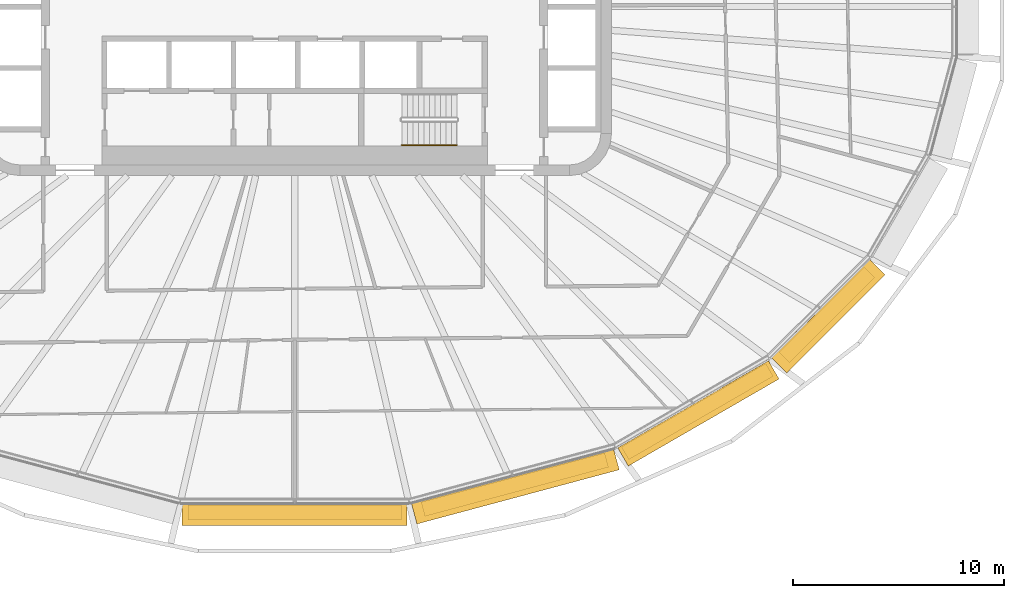
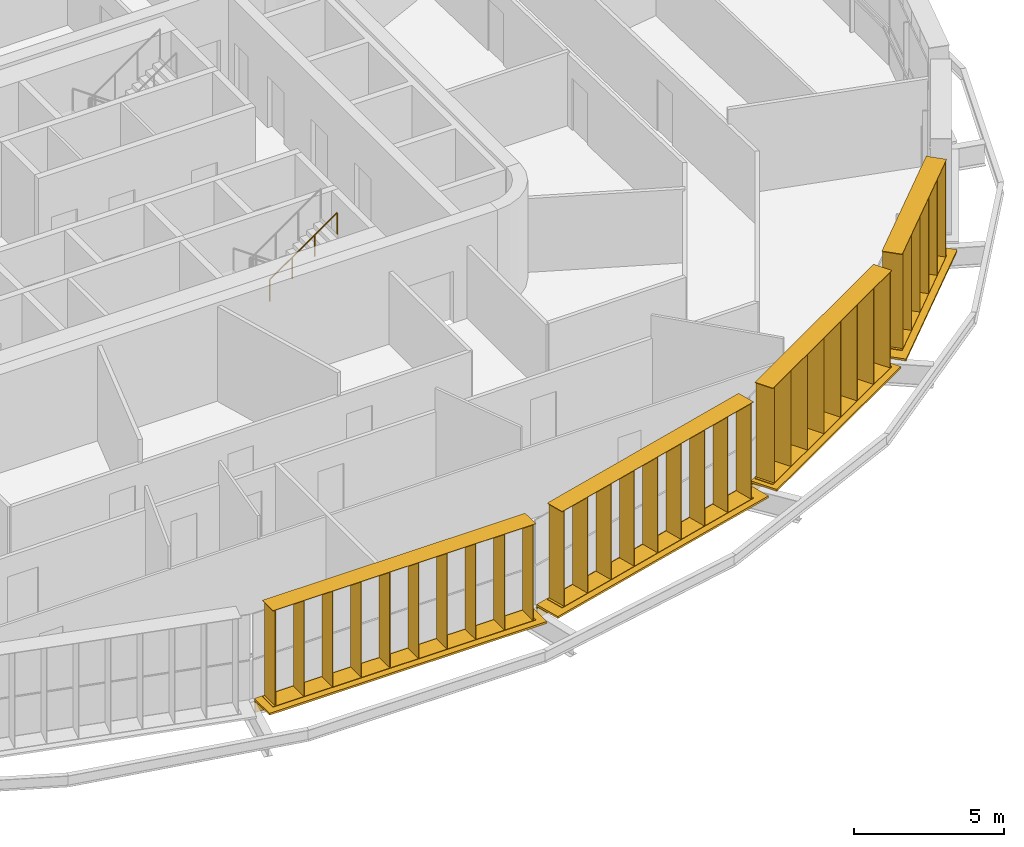
# One storey, part 20 of 23: 8 shading devices, 1 railing.
"""IFC4 building model written with IfcOpenShell, lengths in metres."""

from ifc_helpers import new_model, si_unit, direction, frame, origin, origin_2d, place, context, subcontext, project, spatial, rectangle, circle, extrude, material, type_object, element, save


model = new_model("IFC4")

# Units and contexts
model_context = context("Model", 3, precision=1e-05, world=origin(), true_north=direction((0.0, 1.0)))
body_context = subcontext(model_context, "Body", "Model", "MODEL_VIEW")
ifc_project = project(units=[si_unit("LENGTHUNIT", "METRE"), si_unit("AREAUNIT", "SQUARE_METRE"), si_unit("VOLUMEUNIT", "CUBIC_METRE"), si_unit("PLANEANGLEUNIT", "RADIAN"), si_unit("MASSUNIT", "GRAM", prefix="KILO")], contexts=[model_context])

# Site, building, storey
site_placement = place(None, origin())
site = spatial("IfcSite", under=ifc_project, at=site_placement, CompositionType="ELEMENT")
building_placement = place(site_placement, origin())
building = spatial("IfcBuilding", under=site, at=building_placement, Name="Sahrelin Media Tower", CompositionType="ELEMENT")
storey_placement = place(building_placement, frame((0.0, 0.0, 157.60009765625)))
storey = spatial("IfcBuildingStorey", under=building, at=storey_placement, Name="L32", CompositionType="ELEMENT", Elevation=157.60009765625)

# Shading devices
ifc_material_1 = material(Name="Champagne anodised aluminium 6063-T6", Category="aluminium")
shading_device_type_1 = type_object("IfcShadingDeviceType", Name="Fin cassette", PredefinedType="USERDEFINED", material=ifc_material_1)
placement_1 = place(storey_placement, frame((0.0, -23.532470703125, 0.0), z_axis=(0.0, 0.0, 1.0), x_axis=(-1.0, 0.0, 0.0)))
element("IfcShadingDevice", 1, at=placement_1, inside=storey, type_object=shading_device_type_1, Name="L32:FIN:L32-18", ObjectType="FIN", PredefinedType="USERDEFINED", context=body_context, shape_type="SweptSolid", body=[
    extrude(rectangle(XDim=10.10009765625, YDim=0.699951171875, at=origin_2d()), frame((0.0, 0.419921875, 0.0)), (0.0, 0.0, 1.0), 0.02001953125),
    extrude(rectangle(XDim=10.10009765625, YDim=0.699951171875, at=origin_2d()), frame((0.0, 0.419921875, 3.89990234375)), (0.0, 0.0, 1.0), 0.02001953125),
    extrude(rectangle(XDim=0.02001953125, YDim=0.699951171875, at=origin_2d()), frame((-4.949951171875, 0.419921875, 0.010009765625), z_axis=(0.0, 0.0, 1.0), x_axis=(1.0, 0.0, 0.0)), (0.0, 0.0, 1.0), 3.89990234375),
    extrude(rectangle(XDim=0.02001953125, YDim=0.699951171875, at=origin_2d()), frame((-3.85009765625, 0.419921875, 0.010009765625), z_axis=(0.0, 0.0, 1.0), x_axis=(1.0, 0.0, 0.0)), (0.0, 0.0, 1.0), 3.89990234375),
    extrude(rectangle(XDim=0.02001953125, YDim=0.699951171875, at=origin_2d()), frame((-2.75, 0.419921875, 0.010009765625), z_axis=(0.0, 0.0, 1.0), x_axis=(1.0, 0.0, 0.0)), (0.0, 0.0, 1.0), 3.89990234375),
    extrude(rectangle(XDim=0.02001953125, YDim=0.699951171875, at=origin_2d()), frame((-1.64990234375, 0.419921875, 0.010009765625), z_axis=(0.0, 0.0, 1.0), x_axis=(1.0, 0.0, 0.0)), (0.0, 0.0, 1.0), 3.89990234375),
    extrude(rectangle(XDim=0.02001953125, YDim=0.699951171875, at=origin_2d()), frame((-0.550048828125, 0.419921875, 0.010009765625), z_axis=(0.0, 0.0, 1.0), x_axis=(1.0, 0.0, 0.0)), (0.0, 0.0, 1.0), 3.89990234375),
    extrude(rectangle(XDim=0.02001953125, YDim=0.699951171875, at=origin_2d()), frame((0.550048828125, 0.419921875, 0.010009765625), z_axis=(0.0, 0.0, 1.0), x_axis=(1.0, 0.0, 0.0)), (0.0, 0.0, 1.0), 3.89990234375),
    extrude(rectangle(XDim=0.02001953125, YDim=0.699951171875, at=origin_2d()), frame((1.64990234375, 0.419921875, 0.010009765625), z_axis=(0.0, 0.0, 1.0), x_axis=(1.0, 0.0, 0.0)), (0.0, 0.0, 1.0), 3.89990234375),
    extrude(rectangle(XDim=0.02001953125, YDim=0.699951171875, at=origin_2d()), frame((2.75, 0.419921875, 0.010009765625), z_axis=(0.0, 0.0, 1.0), x_axis=(1.0, 0.0, 0.0)), (0.0, 0.0, 1.0), 3.89990234375),
    extrude(rectangle(XDim=0.02001953125, YDim=0.699951171875, at=origin_2d()), frame((3.85009765625, 0.419921875, 0.010009765625), z_axis=(0.0, 0.0, 1.0), x_axis=(1.0, 0.0, 0.0)), (0.0, 0.0, 1.0), 3.89990234375),
    extrude(rectangle(XDim=0.02001953125, YDim=0.699951171875, at=origin_2d()), frame((4.949951171875, 0.419921875, 0.010009765625), z_axis=(0.0, 0.0, 1.0), x_axis=(1.0, 0.0, 0.0)), (0.0, 0.0, 1.0), 3.89990234375),
])
placement_2 = place(storey_placement, frame((10.312255859375, -22.2236328125, 0.0), z_axis=(0.0, 0.0, 1.0), x_axis=(-0.965928857556, -0.258807731996, 0.0)))
element("IfcShadingDevice", 2, at=placement_2, inside=storey, type_object=shading_device_type_1, Name="L32:FIN:L32-19", ObjectType="FIN", PredefinedType="USERDEFINED", context=body_context, shape_type="SweptSolid", body=[
    extrude(rectangle(XDim=9.0, YDim=0.699951171875, at=origin_2d()), frame((0.0, 0.419921875, 0.0)), (0.0, 0.0, 1.0), 0.02001953125),
    extrude(rectangle(XDim=9.0, YDim=0.699951171875, at=origin_2d()), frame((0.0, 0.419921875, 3.89990234375)), (0.0, 0.0, 1.0), 0.02001953125),
    extrude(rectangle(XDim=0.02001953125, YDim=0.699951171875, at=origin_2d()), frame((-4.39990234375, 0.419921875, 0.010009765625), z_axis=(0.0, 0.0, 1.0), x_axis=(1.0, 0.0, 0.0)), (0.0, 0.0, 1.0), 3.89990234375),
    extrude(rectangle(XDim=0.02001953125, YDim=0.699951171875, at=origin_2d()), frame((-3.300048828125, 0.419921875, 0.010009765625), z_axis=(0.0, 0.0, 1.0), x_axis=(1.0, 0.0, 0.0)), (0.0, 0.0, 1.0), 3.89990234375),
    extrude(rectangle(XDim=0.02001953125, YDim=0.699951171875, at=origin_2d()), frame((-2.199951171875, 0.419921875, 0.010009765625), z_axis=(0.0, 0.0, 1.0), x_axis=(1.0, 0.0, 0.0)), (0.0, 0.0, 1.0), 3.89990234375),
    extrude(rectangle(XDim=0.02001953125, YDim=0.699951171875, at=origin_2d()), frame((-1.10009765625, 0.419921875, 0.010009765625), z_axis=(0.0, 0.0, 1.0), x_axis=(1.0, 0.0, 0.0)), (0.0, 0.0, 1.0), 3.89990234375),
    extrude(rectangle(XDim=0.02001953125, YDim=0.699951171875, at=origin_2d()), frame((0.0, 0.419921875, 0.010009765625), z_axis=(0.0, 0.0, 1.0), x_axis=(1.0, 0.0, 0.0)), (0.0, 0.0, 1.0), 3.89990234375),
    extrude(rectangle(XDim=0.02001953125, YDim=0.699951171875, at=origin_2d()), frame((1.10009765625, 0.419921875, 0.010009765625), z_axis=(0.0, 0.0, 1.0), x_axis=(1.0, 0.0, 0.0)), (0.0, 0.0, 1.0), 3.89990234375),
    extrude(rectangle(XDim=0.02001953125, YDim=0.699951171875, at=origin_2d()), frame((2.199951171875, 0.419921875, 0.010009765625), z_axis=(0.0, 0.0, 1.0), x_axis=(1.0, 0.0, 0.0)), (0.0, 0.0, 1.0), 3.89990234375),
    extrude(rectangle(XDim=0.02001953125, YDim=0.699951171875, at=origin_2d()), frame((3.300048828125, 0.419921875, 0.010009765625), z_axis=(0.0, 0.0, 1.0), x_axis=(1.0, 0.0, 0.0)), (0.0, 0.0, 1.0), 3.89990234375),
    extrude(rectangle(XDim=0.02001953125, YDim=0.699951171875, at=origin_2d()), frame((4.39990234375, 0.419921875, 0.010009765625), z_axis=(0.0, 0.0, 1.0), x_axis=(1.0, 0.0, 0.0)), (0.0, 0.0, 1.0), 3.89990234375),
])
placement_3 = place(storey_placement, frame((18.85107421875, -18.804931640625, 0.0), z_axis=(0.0, 0.0, 1.0), x_axis=(-0.866019052629, -0.500011000363, 0.0)))
element("IfcShadingDevice", 3, at=placement_3, inside=storey, type_object=shading_device_type_1, Name="L32:FIN:L32-20", ObjectType="FIN", PredefinedType="USERDEFINED", context=body_context, shape_type="SweptSolid", body=[
    extrude(rectangle(XDim=7.89990234375, YDim=0.699951171875, at=origin_2d()), frame((0.0, 0.419921875, 0.0)), (0.0, 0.0, 1.0), 0.02001953125),
    extrude(rectangle(XDim=7.89990234375, YDim=0.699951171875, at=origin_2d()), frame((0.0, 0.419921875, 3.89990234375)), (0.0, 0.0, 1.0), 0.02001953125),
    extrude(rectangle(XDim=0.02001953125, YDim=0.699951171875, at=origin_2d()), frame((-3.85009765625, 0.419921875, 0.010009765625), z_axis=(0.0, 0.0, 1.0), x_axis=(1.0, 0.0, 0.0)), (0.0, 0.0, 1.0), 3.89990234375),
    extrude(rectangle(XDim=0.02001953125, YDim=0.699951171875, at=origin_2d()), frame((-2.75, 0.419921875, 0.010009765625), z_axis=(0.0, 0.0, 1.0), x_axis=(1.0, 0.0, 0.0)), (0.0, 0.0, 1.0), 3.89990234375),
    extrude(rectangle(XDim=0.02001953125, YDim=0.699951171875, at=origin_2d()), frame((-1.64990234375, 0.419921875, 0.010009765625), z_axis=(0.0, 0.0, 1.0), x_axis=(1.0, 0.0, 0.0)), (0.0, 0.0, 1.0), 3.89990234375),
    extrude(rectangle(XDim=0.02001953125, YDim=0.699951171875, at=origin_2d()), frame((-0.550048828125, 0.419921875, 0.010009765625), z_axis=(0.0, 0.0, 1.0), x_axis=(1.0, 0.0, 0.0)), (0.0, 0.0, 1.0), 3.89990234375),
    extrude(rectangle(XDim=0.02001953125, YDim=0.699951171875, at=origin_2d()), frame((0.550048828125, 0.419921875, 0.010009765625), z_axis=(0.0, 0.0, 1.0), x_axis=(1.0, 0.0, 0.0)), (0.0, 0.0, 1.0), 3.89990234375),
    extrude(rectangle(XDim=0.02001953125, YDim=0.699951171875, at=origin_2d()), frame((1.64990234375, 0.419921875, 0.010009765625), z_axis=(0.0, 0.0, 1.0), x_axis=(1.0, 0.0, 0.0)), (0.0, 0.0, 1.0), 3.89990234375),
    extrude(rectangle(XDim=0.02001953125, YDim=0.699951171875, at=origin_2d()), frame((2.75, 0.419921875, 0.010009765625), z_axis=(0.0, 0.0, 1.0), x_axis=(1.0, 0.0, 0.0)), (0.0, 0.0, 1.0), 3.89990234375),
    extrude(rectangle(XDim=0.02001953125, YDim=0.699951171875, at=origin_2d()), frame((3.85009765625, 0.419921875, 0.010009765625), z_axis=(0.0, 0.0, 1.0), x_axis=(1.0, 0.0, 0.0)), (0.0, 0.0, 1.0), 3.89990234375),
])
placement_4 = place(storey_placement, frame((24.900390625, -14.300048828125, 0.0), z_axis=(0.0, 0.0, 1.0), x_axis=(-0.707106781187, -0.707106781187, 0.0)))
element("IfcShadingDevice", 4, at=placement_4, inside=storey, type_object=shading_device_type_1, Name="L32:FIN:L32-21", ObjectType="FIN", PredefinedType="USERDEFINED", context=body_context, shape_type="SweptSolid", body=[
    extrude(rectangle(XDim=5.699951171875, YDim=0.699951171875, at=origin_2d()), frame((0.0, 0.419921875, 0.0)), (0.0, 0.0, 1.0), 0.02001953125),
    extrude(rectangle(XDim=5.699951171875, YDim=0.699951171875, at=origin_2d()), frame((0.0, 0.419921875, 3.89990234375)), (0.0, 0.0, 1.0), 0.02001953125),
    extrude(rectangle(XDim=0.02001953125, YDim=0.699951171875, at=origin_2d()), frame((-2.75, 0.419921875, 0.010009765625), z_axis=(0.0, 0.0, 1.0), x_axis=(1.0, 0.0, 0.0)), (0.0, 0.0, 1.0), 3.89990234375),
    extrude(rectangle(XDim=0.02001953125, YDim=0.699951171875, at=origin_2d()), frame((-1.64990234375, 0.419921875, 0.010009765625), z_axis=(0.0, 0.0, 1.0), x_axis=(1.0, 0.0, 0.0)), (0.0, 0.0, 1.0), 3.89990234375),
    extrude(rectangle(XDim=0.02001953125, YDim=0.699951171875, at=origin_2d()), frame((-0.550048828125, 0.419921875, 0.010009765625), z_axis=(0.0, 0.0, 1.0), x_axis=(1.0, 0.0, 0.0)), (0.0, 0.0, 1.0), 3.89990234375),
    extrude(rectangle(XDim=0.02001953125, YDim=0.699951171875, at=origin_2d()), frame((0.550048828125, 0.419921875, 0.010009765625), z_axis=(0.0, 0.0, 1.0), x_axis=(1.0, 0.0, 0.0)), (0.0, 0.0, 1.0), 3.89990234375),
    extrude(rectangle(XDim=0.02001953125, YDim=0.699951171875, at=origin_2d()), frame((1.64990234375, 0.419921875, 0.010009765625), z_axis=(0.0, 0.0, 1.0), x_axis=(1.0, 0.0, 0.0)), (0.0, 0.0, 1.0), 3.89990234375),
    extrude(rectangle(XDim=0.02001953125, YDim=0.699951171875, at=origin_2d()), frame((2.75, 0.419921875, 0.010009765625), z_axis=(0.0, 0.0, 1.0), x_axis=(1.0, 0.0, 0.0)), (0.0, 0.0, 1.0), 3.89990234375),
])

# Railing
ifc_material_2 = material(Name="Steel S355", Category="steel")
railing_type = type_object("IfcRailingType", Name="Stair handrail 900", PredefinedType="HANDRAIL", material=ifc_material_2)
railing_placement = place(storey_placement, frame((5.074951171875, -6.550048828125, 2.181640625)))
element("IfcRailing", 5, at=railing_placement, inside=storey, type_object=railing_type, Name="L32 ST2 stair handrail 2", PredefinedType="HANDRAIL", context=body_context, shape_type="SweptSolid", body=[
    extrude(circle(Radius=0.02392578125, at=origin_2d()), frame((0.0, 0.0, 0.8759765625), z_axis=(0.819484887739, 0.0, 0.573100792852), x_axis=(0.0, 1.0, 0.0)), (0.0, 0.0, 1.0), 3.1728515625),
    extrude(circle(Radius=0.02099609375, at=origin_2d()), origin(), (0.0, 0.0, 1.0), 0.851806640625),
    extrude(circle(Radius=0.02099609375, at=origin_2d()), frame((0.86669921875, 0.0, 0.606201171875)), (0.0, 0.0, 1.0), 0.851806640625),
    extrude(circle(Radius=0.02099609375, at=origin_2d()), frame((1.7333984375, 0.0, 1.212158203125)), (0.0, 0.0, 1.0), 0.851806640625),
    extrude(circle(Radius=0.02099609375, at=origin_2d()), frame((2.60009765625, 0.0, 1.818359375)), (0.0, 0.0, 1.0), 0.851806640625),
])

# Shading devices
shading_device_type_2 = type_object("IfcShadingDeviceType", Name="Sunshade band", PredefinedType="USERDEFINED", material=ifc_material_1)
element("IfcShadingDevice", 6, at=placement_1, inside=storey, type_object=shading_device_type_2, Name="L32:SUN:L32-18", ObjectType="SUNSHADE", PredefinedType="USERDEFINED", context=body_context, shape_type="SweptSolid", body=[
    extrude(rectangle(XDim=10.656494140625, YDim=0.050048828125, at=origin_2d()), frame((0.0, 0.044921875, -0.55126953125)), (0.0, 0.0, 1.0), 0.471435546875),
    extrude(rectangle(XDim=10.656494140625, YDim=1.0, at=origin_2d()), frame((0.0, 0.52001953125, -0.080078125)), (0.0, 0.0, 1.0), 0.080078125),
    extrude(rectangle(XDim=0.10009765625, YDim=0.074951171875, at=origin_2d()), frame((-5.228271484375, -0.017578125, -0.47021484375)), (0.0, 0.0, 1.0), 0.300048828125),
    extrude(rectangle(XDim=0.10009765625, YDim=0.074951171875, at=origin_2d()), frame((-3.485595703125, -0.017578125, -0.47021484375)), (0.0, 0.0, 1.0), 0.300048828125),
    extrude(rectangle(XDim=0.10009765625, YDim=0.074951171875, at=origin_2d()), frame((-1.74267578125, -0.017578125, -0.47021484375)), (0.0, 0.0, 1.0), 0.300048828125),
    extrude(rectangle(XDim=0.10009765625, YDim=0.074951171875, at=origin_2d()), frame((0.0, -0.017578125, -0.47021484375)), (0.0, 0.0, 1.0), 0.300048828125),
    extrude(rectangle(XDim=0.10009765625, YDim=0.074951171875, at=origin_2d()), frame((1.74267578125, -0.017578125, -0.47021484375)), (0.0, 0.0, 1.0), 0.300048828125),
    extrude(rectangle(XDim=0.10009765625, YDim=0.074951171875, at=origin_2d()), frame((3.485595703125, -0.017578125, -0.47021484375)), (0.0, 0.0, 1.0), 0.300048828125),
    extrude(rectangle(XDim=0.10009765625, YDim=0.074951171875, at=origin_2d()), frame((5.228271484375, -0.017578125, -0.47021484375)), (0.0, 0.0, 1.0), 0.300048828125),
])
element("IfcShadingDevice", 7, at=placement_2, inside=storey, type_object=shading_device_type_2, Name="L32:SUN:L32-19", ObjectType="SUNSHADE", PredefinedType="USERDEFINED", context=body_context, shape_type="SweptSolid", body=[
    extrude(rectangle(XDim=9.91259765625, YDim=0.050048828125, at=origin_2d()), frame((0.0, 0.044921875, -0.55126953125)), (0.0, 0.0, 1.0), 0.471435546875),
    extrude(rectangle(XDim=9.91259765625, YDim=1.0, at=origin_2d()), frame((0.0, 0.52001953125, -0.080078125)), (0.0, 0.0, 1.0), 0.080078125),
    extrude(rectangle(XDim=0.10009765625, YDim=0.074951171875, at=origin_2d()), frame((-4.856201171875, -0.017578125, -0.47021484375)), (0.0, 0.0, 1.0), 0.300048828125),
    extrude(rectangle(XDim=0.10009765625, YDim=0.074951171875, at=origin_2d()), frame((-2.913818359375, -0.017578125, -0.47021484375)), (0.0, 0.0, 1.0), 0.300048828125),
    extrude(rectangle(XDim=0.10009765625, YDim=0.074951171875, at=origin_2d()), frame((-0.97119140625, -0.017578125, -0.47021484375)), (0.0, 0.0, 1.0), 0.300048828125),
    extrude(rectangle(XDim=0.10009765625, YDim=0.074951171875, at=origin_2d()), frame((0.97119140625, -0.017578125, -0.47021484375)), (0.0, 0.0, 1.0), 0.300048828125),
    extrude(rectangle(XDim=0.10009765625, YDim=0.074951171875, at=origin_2d()), frame((2.913818359375, -0.017578125, -0.47021484375)), (0.0, 0.0, 1.0), 0.300048828125),
    extrude(rectangle(XDim=0.10009765625, YDim=0.074951171875, at=origin_2d()), frame((4.856201171875, -0.017578125, -0.47021484375)), (0.0, 0.0, 1.0), 0.300048828125),
])
element("IfcShadingDevice", 8, at=placement_3, inside=storey, type_object=shading_device_type_2, Name="L32:SUN:L32-20", ObjectType="SUNSHADE", PredefinedType="USERDEFINED", context=body_context, shape_type="SweptSolid", body=[
    extrude(rectangle(XDim=8.240478515625, YDim=0.050048828125, at=origin_2d()), frame((0.0, 0.044921875, -0.55126953125)), (0.0, 0.0, 1.0), 0.471435546875),
    extrude(rectangle(XDim=8.240478515625, YDim=1.0, at=origin_2d()), frame((0.0, 0.52001953125, -0.080078125)), (0.0, 0.0, 1.0), 0.080078125),
    extrude(rectangle(XDim=0.10009765625, YDim=0.074951171875, at=origin_2d()), frame((-4.020263671875, -0.017578125, -0.47021484375)), (0.0, 0.0, 1.0), 0.300048828125),
    extrude(rectangle(XDim=0.10009765625, YDim=0.074951171875, at=origin_2d()), frame((-2.412109375, -0.017578125, -0.47021484375)), (0.0, 0.0, 1.0), 0.300048828125),
    extrude(rectangle(XDim=0.10009765625, YDim=0.074951171875, at=origin_2d()), frame((-0.803955078125, -0.017578125, -0.47021484375)), (0.0, 0.0, 1.0), 0.300048828125),
    extrude(rectangle(XDim=0.10009765625, YDim=0.074951171875, at=origin_2d()), frame((0.803955078125, -0.017578125, -0.47021484375)), (0.0, 0.0, 1.0), 0.300048828125),
    extrude(rectangle(XDim=0.10009765625, YDim=0.074951171875, at=origin_2d()), frame((2.412109375, -0.017578125, -0.47021484375)), (0.0, 0.0, 1.0), 0.300048828125),
    extrude(rectangle(XDim=0.10009765625, YDim=0.074951171875, at=origin_2d()), frame((4.020263671875, -0.017578125, -0.47021484375)), (0.0, 0.0, 1.0), 0.300048828125),
])
element("IfcShadingDevice", 9, at=placement_4, inside=storey, type_object=shading_device_type_2, Name="L32:SUN:L32-21", ObjectType="SUNSHADE", PredefinedType="USERDEFINED", context=body_context, shape_type="SweptSolid", body=[
    extrude(rectangle(XDim=6.573486328125, YDim=0.050048828125, at=origin_2d()), frame((0.0, 0.044921875, -0.55126953125)), (0.0, 0.0, 1.0), 0.471435546875),
    extrude(rectangle(XDim=6.573486328125, YDim=1.0, at=origin_2d()), frame((0.0, 0.52001953125, -0.080078125)), (0.0, 0.0, 1.0), 0.080078125),
    extrude(rectangle(XDim=0.10009765625, YDim=0.074951171875, at=origin_2d()), frame((-3.186767578125, -0.017578125, -0.47021484375)), (0.0, 0.0, 1.0), 0.300048828125),
    extrude(rectangle(XDim=0.10009765625, YDim=0.074951171875, at=origin_2d()), frame((-1.59326171875, -0.017578125, -0.47021484375)), (0.0, 0.0, 1.0), 0.300048828125),
    extrude(rectangle(XDim=0.10009765625, YDim=0.074951171875, at=origin_2d()), frame((0.0, -0.017578125, -0.47021484375)), (0.0, 0.0, 1.0), 0.300048828125),
    extrude(rectangle(XDim=0.10009765625, YDim=0.074951171875, at=origin_2d()), frame((1.59326171875, -0.017578125, -0.47021484375)), (0.0, 0.0, 1.0), 0.300048828125),
    extrude(rectangle(XDim=0.10009765625, YDim=0.074951171875, at=origin_2d()), frame((3.186767578125, -0.017578125, -0.47021484375)), (0.0, 0.0, 1.0), 0.300048828125),
])

save(model, "model.ifc")
